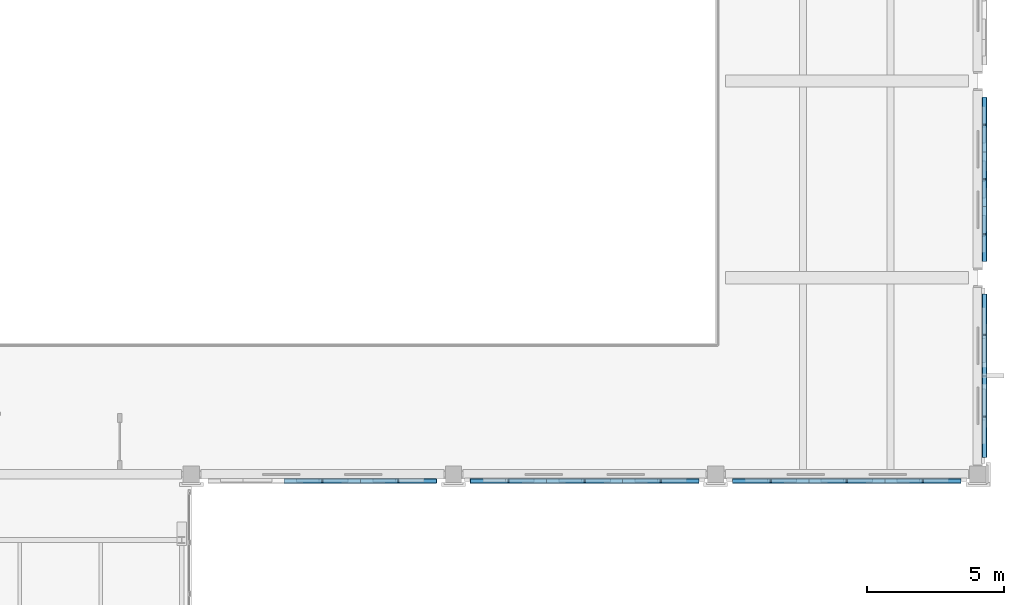
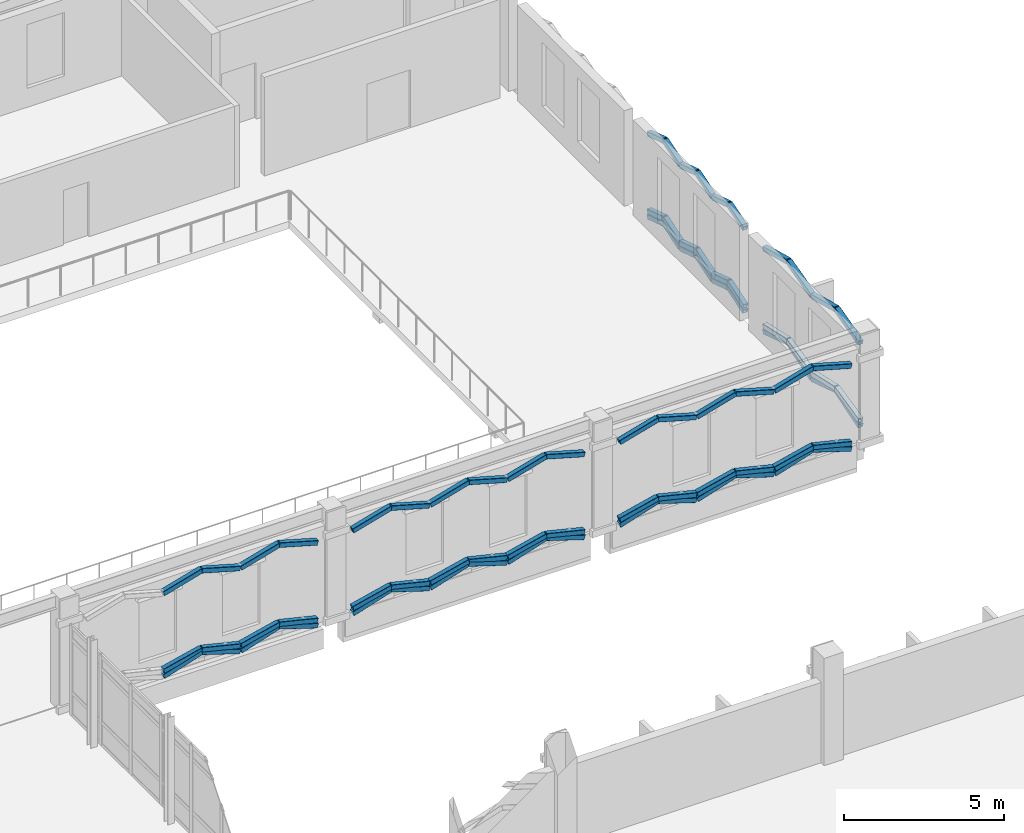
# One storey, part 148 of 180: 78 plates.
"""IFC4 building model written with IfcOpenShell, lengths in metres."""

from ifc_helpers import new_model, si_unit, direction, frame, origin, origin_2d, place, context, subcontext, project, spatial, hollow_rectangle, extrude, material, material_profile, profile_set, type_object, element, save


model = new_model("IFC4")

# Units and contexts
model_context = context("Model", 3, precision=1e-05, world=origin(), true_north=direction((0.0, 1.0)))
body_context = subcontext(model_context, "Body", "Model", "MODEL_VIEW")
ifc_project = project(units=[si_unit("LENGTHUNIT", "METRE"), si_unit("AREAUNIT", "SQUARE_METRE"), si_unit("VOLUMEUNIT", "CUBIC_METRE"), si_unit("PLANEANGLEUNIT", "RADIAN"), si_unit("MASSUNIT", "GRAM", prefix="KILO")], contexts=[model_context])

# Site, building, storey
site_placement = place(None, origin())
site = spatial("IfcSite", under=ifc_project, at=site_placement, CompositionType="ELEMENT")
building_placement = place(site_placement, origin())
building = spatial("IfcBuilding", under=site, at=building_placement, Name="Asteropetra Specialist Clinic", CompositionType="ELEMENT")
storey_placement = place(building_placement, frame((0.0, 0.0, 4.419921875)))
storey = spatial("IfcBuildingStorey", under=building, at=storey_placement, Name="L01", CompositionType="ELEMENT", Elevation=4.419921875)

# Plates
ifc_material = material(Name="Chevron emerald aluminium 6063-T6", Category="aluminium")
ifc_material_profile = material_profile(ifc_material, hollow_rectangle(XDim=0.179931640625, YDim=0.179931640625, WallThickness=0.010009765625, InnerFilletRadius=0.008056640625, OuterFilletRadius=0.01611328125, at=origin_2d()), Name="SHS 180x180x10.0")
ifc_profile_set = profile_set([ifc_material_profile], Name="Chevron emerald aluminium 6063-T6")
plate_type = type_object("IfcPlateType", Name="CHV-RIB-180", PredefinedType="SHEET", material=ifc_profile_set)
for number, where, z_axis, x_axis, name in (
    (1, (128.226806640625, 76.55810546875, 0.0400390625), (0.952424147199, 0.0, 0.304775727104), (0.0, 1.0, 0.0), "Chevron Facade Screen Fin CVR-0139"),
    (2, (129.60009765625, 76.55810546875, 0.4794921875), (0.952424147199, 0.0, -0.304775727104), (0.0, 1.0, 0.0), "Chevron Facade Screen Fin CVR-0140"),
):
    element("IfcPlate", number, at=place(storey_placement, frame(where, z_axis=z_axis, x_axis=x_axis)), inside=storey, type_object=plate_type, Name=name, PredefinedType="SHEET", context=body_context, shape_type="SweptSolid", body=[
        extrude(hollow_rectangle(XDim=0.179931640625, YDim=0.179931640625, WallThickness=0.010009765625, InnerFilletRadius=0.008056640625, OuterFilletRadius=0.01611328125, at=origin_2d()), origin(), (0.0, 0.0, 1.0), 1.44189453125),
    ])
for number, where, z_axis, x_axis, name in (
    (3, (128.226806640625, 76.55810546875, 0.239990234375), (0.972308795496, 0.0, 0.233699820713), (0.0, 1.0, 0.0), "Chevron Facade Screen Fin CVR-0141"),
    (4, (129.60009765625, 76.55810546875, 0.570068359375), (0.972308795496, 0.0, -0.233699820713), (0.0, 1.0, 0.0), "Chevron Facade Screen Fin CVR-0142"),
):
    element("IfcPlate", number, at=place(storey_placement, frame(where, z_axis=z_axis, x_axis=x_axis)), inside=storey, type_object=plate_type, Name=name, PredefinedType="SHEET", context=body_context, shape_type="SweptSolid", body=[
        extrude(hollow_rectangle(XDim=0.179931640625, YDim=0.179931640625, WallThickness=0.010009765625, InnerFilletRadius=0.008056640625, OuterFilletRadius=0.01611328125, at=origin_2d()), origin(), (0.0, 0.0, 1.0), 1.412353515625),
    ])
for number, where, z_axis, x_axis, name in (
    (5, (128.226806640625, 76.55810546875, 3.190185546875), (0.96198081159, 0.0, 0.273117041086), (0.0, 1.0, 0.0), "Chevron Facade Screen Fin CVR-0143"),
    (6, (129.60009765625, 76.55810546875, 3.580078125), (0.96198081159, 0.0, -0.273117041086), (0.0, 1.0, 0.0), "Chevron Facade Screen Fin CVR-0144"),
):
    element("IfcPlate", number, at=place(storey_placement, frame(where, z_axis=z_axis, x_axis=x_axis)), inside=storey, type_object=plate_type, Name=name, PredefinedType="SHEET", context=body_context, shape_type="SweptSolid", body=[
        extrude(hollow_rectangle(XDim=0.179931640625, YDim=0.179931640625, WallThickness=0.010009765625, InnerFilletRadius=0.008056640625, OuterFilletRadius=0.01611328125, at=origin_2d()), origin(), (0.0, 0.0, 1.0), 1.427490234375),
    ])
plate_1_placement = place(storey_placement, frame((131.01318359375, 76.55810546875, 0.0400390625), z_axis=(0.952439871219, 0.0, 0.304726585175), x_axis=(0.0, 1.0, 0.0)))
element("IfcPlate", 7, at=plate_1_placement, inside=storey, type_object=plate_type, Name="Chevron Facade Screen Fin CVR-0145", PredefinedType="SHEET", context=body_context, shape_type="SweptSolid", body=[
    extrude(hollow_rectangle(XDim=0.179931640625, YDim=0.179931640625, WallThickness=0.010009765625, InnerFilletRadius=0.008056640625, OuterFilletRadius=0.01611328125, at=origin_2d()), origin(), (0.0, 0.0, 1.0), 1.442138671875),
])
plate_2_placement = place(storey_placement, frame((132.38671875, 76.55810546875, 0.4794921875), z_axis=(0.952424147199, 0.0, -0.304775727104), x_axis=(0.0, 1.0, 0.0)))
element("IfcPlate", 8, at=plate_2_placement, inside=storey, type_object=plate_type, Name="Chevron Facade Screen Fin CVR-0146", PredefinedType="SHEET", context=body_context, shape_type="SweptSolid", body=[
    extrude(hollow_rectangle(XDim=0.179931640625, YDim=0.179931640625, WallThickness=0.010009765625, InnerFilletRadius=0.008056640625, OuterFilletRadius=0.01611328125, at=origin_2d()), origin(), (0.0, 0.0, 1.0), 1.44189453125),
])
plate_3_placement = place(storey_placement, frame((131.01318359375, 76.55810546875, 0.239990234375), z_axis=(0.972318233691, 0.0, 0.233660549582), x_axis=(0.0, 1.0, 0.0)))
element("IfcPlate", 9, at=plate_3_placement, inside=storey, type_object=plate_type, Name="Chevron Facade Screen Fin CVR-0147", PredefinedType="SHEET", context=body_context, shape_type="SweptSolid", body=[
    extrude(hollow_rectangle(XDim=0.179931640625, YDim=0.179931640625, WallThickness=0.010009765625, InnerFilletRadius=0.008056640625, OuterFilletRadius=0.01611328125, at=origin_2d()), origin(), (0.0, 0.0, 1.0), 1.41259765625),
])
plate_4_placement = place(storey_placement, frame((132.38671875, 76.55810546875, 0.570068359375), z_axis=(0.972308795496, 0.0, -0.233699820713), x_axis=(0.0, 1.0, 0.0)))
element("IfcPlate", 10, at=plate_4_placement, inside=storey, type_object=plate_type, Name="Chevron Facade Screen Fin CVR-0148", PredefinedType="SHEET", context=body_context, shape_type="SweptSolid", body=[
    extrude(hollow_rectangle(XDim=0.179931640625, YDim=0.179931640625, WallThickness=0.010009765625, InnerFilletRadius=0.008056640625, OuterFilletRadius=0.01611328125, at=origin_2d()), origin(), (0.0, 0.0, 1.0), 1.412353515625),
])
plate_5_placement = place(storey_placement, frame((131.01318359375, 76.55810546875, 3.190185546875), z_axis=(0.961993565235, 0.0, 0.273072115834), x_axis=(0.0, 1.0, 0.0)))
element("IfcPlate", 11, at=plate_5_placement, inside=storey, type_object=plate_type, Name="Chevron Facade Screen Fin CVR-0149", PredefinedType="SHEET", context=body_context, shape_type="SweptSolid", body=[
    extrude(hollow_rectangle(XDim=0.179931640625, YDim=0.179931640625, WallThickness=0.010009765625, InnerFilletRadius=0.008056640625, OuterFilletRadius=0.01611328125, at=origin_2d()), origin(), (0.0, 0.0, 1.0), 1.427734375),
])
plate_6_placement = place(storey_placement, frame((132.38671875, 76.55810546875, 3.580078125), z_axis=(0.96198081159, 0.0, -0.273117041086), x_axis=(0.0, 1.0, 0.0)))
element("IfcPlate", 12, at=plate_6_placement, inside=storey, type_object=plate_type, Name="Chevron Facade Screen Fin CVR-0150", PredefinedType="SHEET", context=body_context, shape_type="SweptSolid", body=[
    extrude(hollow_rectangle(XDim=0.179931640625, YDim=0.179931640625, WallThickness=0.010009765625, InnerFilletRadius=0.008056640625, OuterFilletRadius=0.01611328125, at=origin_2d()), origin(), (0.0, 0.0, 1.0), 1.427490234375),
])
for number, where, z_axis, x_axis, name in (
    (13, (135.0400390625, 76.55810546875, 0.0400390625), (0.952424147199, 0.0, 0.304775727104), (0.0, 1.0, 0.0), "Chevron Facade Screen Fin CVR-0169"),
    (14, (136.413330078125, 76.55810546875, 0.4794921875), (0.952424147199, 0.0, -0.304775727104), (0.0, 1.0, 0.0), "Chevron Facade Screen Fin CVR-0170"),
):
    element("IfcPlate", number, at=place(storey_placement, frame(where, z_axis=z_axis, x_axis=x_axis)), inside=storey, type_object=plate_type, Name=name, PredefinedType="SHEET", context=body_context, shape_type="SweptSolid", body=[
        extrude(hollow_rectangle(XDim=0.179931640625, YDim=0.179931640625, WallThickness=0.010009765625, InnerFilletRadius=0.008056640625, OuterFilletRadius=0.01611328125, at=origin_2d()), origin(), (0.0, 0.0, 1.0), 1.44189453125),
    ])
for number, where, z_axis, x_axis, name in (
    (15, (135.0400390625, 76.55810546875, 0.239990234375), (0.972308795496, 0.0, 0.233699820713), (0.0, 1.0, 0.0), "Chevron Facade Screen Fin CVR-0171"),
    (16, (136.413330078125, 76.55810546875, 0.570068359375), (0.972308795496, 0.0, -0.233699820713), (0.0, 1.0, 0.0), "Chevron Facade Screen Fin CVR-0172"),
):
    element("IfcPlate", number, at=place(storey_placement, frame(where, z_axis=z_axis, x_axis=x_axis)), inside=storey, type_object=plate_type, Name=name, PredefinedType="SHEET", context=body_context, shape_type="SweptSolid", body=[
        extrude(hollow_rectangle(XDim=0.179931640625, YDim=0.179931640625, WallThickness=0.010009765625, InnerFilletRadius=0.008056640625, OuterFilletRadius=0.01611328125, at=origin_2d()), origin(), (0.0, 0.0, 1.0), 1.412353515625),
    ])
for number, where, z_axis, x_axis, name in (
    (17, (135.0400390625, 76.55810546875, 3.190185546875), (0.96198081159, 0.0, 0.273117041086), (0.0, 1.0, 0.0), "Chevron Facade Screen Fin CVR-0173"),
    (18, (136.413330078125, 76.55810546875, 3.580078125), (0.96198081159, 0.0, -0.273117041086), (0.0, 1.0, 0.0), "Chevron Facade Screen Fin CVR-0174"),
):
    element("IfcPlate", number, at=place(storey_placement, frame(where, z_axis=z_axis, x_axis=x_axis)), inside=storey, type_object=plate_type, Name=name, PredefinedType="SHEET", context=body_context, shape_type="SweptSolid", body=[
        extrude(hollow_rectangle(XDim=0.179931640625, YDim=0.179931640625, WallThickness=0.010009765625, InnerFilletRadius=0.008056640625, OuterFilletRadius=0.01611328125, at=origin_2d()), origin(), (0.0, 0.0, 1.0), 1.427490234375),
    ])
for number, where, z_axis, x_axis, name in (
    (19, (137.82666015625, 76.55810546875, 0.0400390625), (0.952424147199, 0.0, 0.304775727104), (0.0, 1.0, 0.0), "Chevron Facade Screen Fin CVR-0175"),
    (20, (139.199951171875, 76.55810546875, 0.4794921875), (0.952424147199, 0.0, -0.304775727104), (0.0, 1.0, 0.0), "Chevron Facade Screen Fin CVR-0176"),
):
    element("IfcPlate", number, at=place(storey_placement, frame(where, z_axis=z_axis, x_axis=x_axis)), inside=storey, type_object=plate_type, Name=name, PredefinedType="SHEET", context=body_context, shape_type="SweptSolid", body=[
        extrude(hollow_rectangle(XDim=0.179931640625, YDim=0.179931640625, WallThickness=0.010009765625, InnerFilletRadius=0.008056640625, OuterFilletRadius=0.01611328125, at=origin_2d()), origin(), (0.0, 0.0, 1.0), 1.44189453125),
    ])
for number, where, z_axis, x_axis, name in (
    (21, (137.82666015625, 76.55810546875, 0.239990234375), (0.972308795496, 0.0, 0.233699820713), (0.0, 1.0, 0.0), "Chevron Facade Screen Fin CVR-0177"),
    (22, (139.199951171875, 76.55810546875, 0.570068359375), (0.972308795496, 0.0, -0.233699820713), (0.0, 1.0, 0.0), "Chevron Facade Screen Fin CVR-0178"),
):
    element("IfcPlate", number, at=place(storey_placement, frame(where, z_axis=z_axis, x_axis=x_axis)), inside=storey, type_object=plate_type, Name=name, PredefinedType="SHEET", context=body_context, shape_type="SweptSolid", body=[
        extrude(hollow_rectangle(XDim=0.179931640625, YDim=0.179931640625, WallThickness=0.010009765625, InnerFilletRadius=0.008056640625, OuterFilletRadius=0.01611328125, at=origin_2d()), origin(), (0.0, 0.0, 1.0), 1.412353515625),
    ])
for number, where, z_axis, x_axis, name in (
    (23, (137.82666015625, 76.55810546875, 3.190185546875), (0.96198081159, 0.0, 0.273117041086), (0.0, 1.0, 0.0), "Chevron Facade Screen Fin CVR-0179"),
    (24, (139.199951171875, 76.55810546875, 3.580078125), (0.96198081159, 0.0, -0.273117041086), (0.0, 1.0, 0.0), "Chevron Facade Screen Fin CVR-0180"),
):
    element("IfcPlate", number, at=place(storey_placement, frame(where, z_axis=z_axis, x_axis=x_axis)), inside=storey, type_object=plate_type, Name=name, PredefinedType="SHEET", context=body_context, shape_type="SweptSolid", body=[
        extrude(hollow_rectangle(XDim=0.179931640625, YDim=0.179931640625, WallThickness=0.010009765625, InnerFilletRadius=0.008056640625, OuterFilletRadius=0.01611328125, at=origin_2d()), origin(), (0.0, 0.0, 1.0), 1.427490234375),
    ])
plate_7_placement = place(storey_placement, frame((140.61328125, 76.55810546875, 0.0400390625), z_axis=(0.952439871219, 0.0, 0.304726585175), x_axis=(0.0, 1.0, 0.0)))
element("IfcPlate", 25, at=plate_7_placement, inside=storey, type_object=plate_type, Name="Chevron Facade Screen Fin CVR-0181", PredefinedType="SHEET", context=body_context, shape_type="SweptSolid", body=[
    extrude(hollow_rectangle(XDim=0.179931640625, YDim=0.179931640625, WallThickness=0.010009765625, InnerFilletRadius=0.008056640625, OuterFilletRadius=0.01611328125, at=origin_2d()), origin(), (0.0, 0.0, 1.0), 1.442138671875),
])
plate_8_placement = place(storey_placement, frame((141.98681640625, 76.55810546875, 0.4794921875), z_axis=(0.952424147199, 0.0, -0.304775727104), x_axis=(0.0, 1.0, 0.0)))
element("IfcPlate", 26, at=plate_8_placement, inside=storey, type_object=plate_type, Name="Chevron Facade Screen Fin CVR-0182", PredefinedType="SHEET", context=body_context, shape_type="SweptSolid", body=[
    extrude(hollow_rectangle(XDim=0.179931640625, YDim=0.179931640625, WallThickness=0.010009765625, InnerFilletRadius=0.008056640625, OuterFilletRadius=0.01611328125, at=origin_2d()), origin(), (0.0, 0.0, 1.0), 1.44189453125),
])
plate_9_placement = place(storey_placement, frame((140.61328125, 76.55810546875, 0.239990234375), z_axis=(0.972318233691, 0.0, 0.233660549582), x_axis=(0.0, 1.0, 0.0)))
element("IfcPlate", 27, at=plate_9_placement, inside=storey, type_object=plate_type, Name="Chevron Facade Screen Fin CVR-0183", PredefinedType="SHEET", context=body_context, shape_type="SweptSolid", body=[
    extrude(hollow_rectangle(XDim=0.179931640625, YDim=0.179931640625, WallThickness=0.010009765625, InnerFilletRadius=0.008056640625, OuterFilletRadius=0.01611328125, at=origin_2d()), origin(), (0.0, 0.0, 1.0), 1.41259765625),
])
plate_10_placement = place(storey_placement, frame((141.98681640625, 76.55810546875, 0.570068359375), z_axis=(0.972308795496, 0.0, -0.233699820713), x_axis=(0.0, 1.0, 0.0)))
element("IfcPlate", 28, at=plate_10_placement, inside=storey, type_object=plate_type, Name="Chevron Facade Screen Fin CVR-0184", PredefinedType="SHEET", context=body_context, shape_type="SweptSolid", body=[
    extrude(hollow_rectangle(XDim=0.179931640625, YDim=0.179931640625, WallThickness=0.010009765625, InnerFilletRadius=0.008056640625, OuterFilletRadius=0.01611328125, at=origin_2d()), origin(), (0.0, 0.0, 1.0), 1.412353515625),
])
plate_11_placement = place(storey_placement, frame((140.61328125, 76.55810546875, 3.190185546875), z_axis=(0.961993565235, 0.0, 0.273072115834), x_axis=(0.0, 1.0, 0.0)))
element("IfcPlate", 29, at=plate_11_placement, inside=storey, type_object=plate_type, Name="Chevron Facade Screen Fin CVR-0185", PredefinedType="SHEET", context=body_context, shape_type="SweptSolid", body=[
    extrude(hollow_rectangle(XDim=0.179931640625, YDim=0.179931640625, WallThickness=0.010009765625, InnerFilletRadius=0.008056640625, OuterFilletRadius=0.01611328125, at=origin_2d()), origin(), (0.0, 0.0, 1.0), 1.427734375),
])
plate_12_placement = place(storey_placement, frame((141.98681640625, 76.55810546875, 3.580078125), z_axis=(0.96198081159, 0.0, -0.273117041086), x_axis=(0.0, 1.0, 0.0)))
element("IfcPlate", 30, at=plate_12_placement, inside=storey, type_object=plate_type, Name="Chevron Facade Screen Fin CVR-0186", PredefinedType="SHEET", context=body_context, shape_type="SweptSolid", body=[
    extrude(hollow_rectangle(XDim=0.179931640625, YDim=0.179931640625, WallThickness=0.010009765625, InnerFilletRadius=0.008056640625, OuterFilletRadius=0.01611328125, at=origin_2d()), origin(), (0.0, 0.0, 1.0), 1.427490234375),
])
plate_13_placement = place(storey_placement, frame((144.639892578125, 76.55810546875, 0.0400390625), z_axis=(0.952424147199, 0.0, 0.304775727104), x_axis=(0.0, 1.0, 0.0)))
element("IfcPlate", 31, at=plate_13_placement, inside=storey, type_object=plate_type, Name="Chevron Facade Screen Fin CVR-0205", PredefinedType="SHEET", context=body_context, shape_type="SweptSolid", body=[
    extrude(hollow_rectangle(XDim=0.179931640625, YDim=0.179931640625, WallThickness=0.010009765625, InnerFilletRadius=0.008056640625, OuterFilletRadius=0.01611328125, at=origin_2d()), origin(), (0.0, 0.0, 1.0), 1.44189453125),
])
plate_14_placement = place(storey_placement, frame((146.01318359375, 76.55810546875, 0.4794921875), z_axis=(0.952439871219, 0.0, -0.304726585175), x_axis=(0.0, 1.0, 0.0)))
element("IfcPlate", 32, at=plate_14_placement, inside=storey, type_object=plate_type, Name="Chevron Facade Screen Fin CVR-0206", PredefinedType="SHEET", context=body_context, shape_type="SweptSolid", body=[
    extrude(hollow_rectangle(XDim=0.179931640625, YDim=0.179931640625, WallThickness=0.010009765625, InnerFilletRadius=0.008056640625, OuterFilletRadius=0.01611328125, at=origin_2d()), origin(), (0.0, 0.0, 1.0), 1.442138671875),
])
plate_15_placement = place(storey_placement, frame((144.639892578125, 76.55810546875, 0.239990234375), z_axis=(0.972308795496, 0.0, 0.233699820713), x_axis=(0.0, 1.0, 0.0)))
element("IfcPlate", 33, at=plate_15_placement, inside=storey, type_object=plate_type, Name="Chevron Facade Screen Fin CVR-0207", PredefinedType="SHEET", context=body_context, shape_type="SweptSolid", body=[
    extrude(hollow_rectangle(XDim=0.179931640625, YDim=0.179931640625, WallThickness=0.010009765625, InnerFilletRadius=0.008056640625, OuterFilletRadius=0.01611328125, at=origin_2d()), origin(), (0.0, 0.0, 1.0), 1.412353515625),
])
plate_16_placement = place(storey_placement, frame((146.01318359375, 76.55810546875, 0.570068359375), z_axis=(0.972318233691, 0.0, -0.233660549582), x_axis=(0.0, 1.0, 0.0)))
element("IfcPlate", 34, at=plate_16_placement, inside=storey, type_object=plate_type, Name="Chevron Facade Screen Fin CVR-0208", PredefinedType="SHEET", context=body_context, shape_type="SweptSolid", body=[
    extrude(hollow_rectangle(XDim=0.179931640625, YDim=0.179931640625, WallThickness=0.010009765625, InnerFilletRadius=0.008056640625, OuterFilletRadius=0.01611328125, at=origin_2d()), origin(), (0.0, 0.0, 1.0), 1.41259765625),
])
plate_17_placement = place(storey_placement, frame((144.639892578125, 76.55810546875, 3.190185546875), z_axis=(0.96198081159, 0.0, 0.273117041086), x_axis=(0.0, 1.0, 0.0)))
element("IfcPlate", 35, at=plate_17_placement, inside=storey, type_object=plate_type, Name="Chevron Facade Screen Fin CVR-0209", PredefinedType="SHEET", context=body_context, shape_type="SweptSolid", body=[
    extrude(hollow_rectangle(XDim=0.179931640625, YDim=0.179931640625, WallThickness=0.010009765625, InnerFilletRadius=0.008056640625, OuterFilletRadius=0.01611328125, at=origin_2d()), origin(), (0.0, 0.0, 1.0), 1.427490234375),
])
plate_18_placement = place(storey_placement, frame((146.01318359375, 76.55810546875, 3.580078125), z_axis=(0.961993565235, 0.0, -0.273072115834), x_axis=(0.0, 1.0, 0.0)))
element("IfcPlate", 36, at=plate_18_placement, inside=storey, type_object=plate_type, Name="Chevron Facade Screen Fin CVR-0210", PredefinedType="SHEET", context=body_context, shape_type="SweptSolid", body=[
    extrude(hollow_rectangle(XDim=0.179931640625, YDim=0.179931640625, WallThickness=0.010009765625, InnerFilletRadius=0.008056640625, OuterFilletRadius=0.01611328125, at=origin_2d()), origin(), (0.0, 0.0, 1.0), 1.427734375),
])
for number, where, z_axis, x_axis, name in (
    (37, (147.4267578125, 76.55810546875, 0.0400390625), (0.952424147199, 0.0, 0.304775727104), (0.0, 1.0, 0.0), "Chevron Facade Screen Fin CVR-0211"),
    (38, (148.800048828125, 76.55810546875, 0.4794921875), (0.952424147199, 0.0, -0.304775727104), (0.0, 1.0, 0.0), "Chevron Facade Screen Fin CVR-0212"),
):
    element("IfcPlate", number, at=place(storey_placement, frame(where, z_axis=z_axis, x_axis=x_axis)), inside=storey, type_object=plate_type, Name=name, PredefinedType="SHEET", context=body_context, shape_type="SweptSolid", body=[
        extrude(hollow_rectangle(XDim=0.179931640625, YDim=0.179931640625, WallThickness=0.010009765625, InnerFilletRadius=0.008056640625, OuterFilletRadius=0.01611328125, at=origin_2d()), origin(), (0.0, 0.0, 1.0), 1.44189453125),
    ])
for number, where, z_axis, x_axis, name in (
    (39, (147.4267578125, 76.55810546875, 0.239990234375), (0.972308795496, 0.0, 0.233699820713), (0.0, 1.0, 0.0), "Chevron Facade Screen Fin CVR-0213"),
    (40, (148.800048828125, 76.55810546875, 0.570068359375), (0.972308795496, 0.0, -0.233699820713), (0.0, 1.0, 0.0), "Chevron Facade Screen Fin CVR-0214"),
):
    element("IfcPlate", number, at=place(storey_placement, frame(where, z_axis=z_axis, x_axis=x_axis)), inside=storey, type_object=plate_type, Name=name, PredefinedType="SHEET", context=body_context, shape_type="SweptSolid", body=[
        extrude(hollow_rectangle(XDim=0.179931640625, YDim=0.179931640625, WallThickness=0.010009765625, InnerFilletRadius=0.008056640625, OuterFilletRadius=0.01611328125, at=origin_2d()), origin(), (0.0, 0.0, 1.0), 1.412353515625),
    ])
for number, where, z_axis, x_axis, name in (
    (41, (147.4267578125, 76.55810546875, 3.190185546875), (0.96198081159, 0.0, 0.273117041086), (0.0, 1.0, 0.0), "Chevron Facade Screen Fin CVR-0215"),
    (42, (148.800048828125, 76.55810546875, 3.580078125), (0.96198081159, 0.0, -0.273117041086), (0.0, 1.0, 0.0), "Chevron Facade Screen Fin CVR-0216"),
):
    element("IfcPlate", number, at=place(storey_placement, frame(where, z_axis=z_axis, x_axis=x_axis)), inside=storey, type_object=plate_type, Name=name, PredefinedType="SHEET", context=body_context, shape_type="SweptSolid", body=[
        extrude(hollow_rectangle(XDim=0.179931640625, YDim=0.179931640625, WallThickness=0.010009765625, InnerFilletRadius=0.008056640625, OuterFilletRadius=0.01611328125, at=origin_2d()), origin(), (0.0, 0.0, 1.0), 1.427490234375),
    ])
for number, where, z_axis, x_axis, name in (
    (43, (150.21337890625, 76.55810546875, 0.0400390625), (0.952424147199, 0.0, 0.304775727104), (0.0, 1.0, 0.0), "Chevron Facade Screen Fin CVR-0217"),
    (44, (151.586669921875, 76.55810546875, 0.4794921875), (0.952424147199, 0.0, -0.304775727104), (0.0, 1.0, 0.0), "Chevron Facade Screen Fin CVR-0218"),
):
    element("IfcPlate", number, at=place(storey_placement, frame(where, z_axis=z_axis, x_axis=x_axis)), inside=storey, type_object=plate_type, Name=name, PredefinedType="SHEET", context=body_context, shape_type="SweptSolid", body=[
        extrude(hollow_rectangle(XDim=0.179931640625, YDim=0.179931640625, WallThickness=0.010009765625, InnerFilletRadius=0.008056640625, OuterFilletRadius=0.01611328125, at=origin_2d()), origin(), (0.0, 0.0, 1.0), 1.44189453125),
    ])
for number, where, z_axis, x_axis, name in (
    (45, (150.21337890625, 76.55810546875, 0.239990234375), (0.972308795496, 0.0, 0.233699820713), (0.0, 1.0, 0.0), "Chevron Facade Screen Fin CVR-0219"),
    (46, (151.586669921875, 76.55810546875, 0.570068359375), (0.972308795496, 0.0, -0.233699820713), (0.0, 1.0, 0.0), "Chevron Facade Screen Fin CVR-0220"),
):
    element("IfcPlate", number, at=place(storey_placement, frame(where, z_axis=z_axis, x_axis=x_axis)), inside=storey, type_object=plate_type, Name=name, PredefinedType="SHEET", context=body_context, shape_type="SweptSolid", body=[
        extrude(hollow_rectangle(XDim=0.179931640625, YDim=0.179931640625, WallThickness=0.010009765625, InnerFilletRadius=0.008056640625, OuterFilletRadius=0.01611328125, at=origin_2d()), origin(), (0.0, 0.0, 1.0), 1.412353515625),
    ])
for number, where, z_axis, x_axis, name in (
    (47, (150.21337890625, 76.55810546875, 3.190185546875), (0.96198081159, 0.0, 0.273117041086), (0.0, 1.0, 0.0), "Chevron Facade Screen Fin CVR-0221"),
    (48, (151.586669921875, 76.55810546875, 3.580078125), (0.96198081159, 0.0, -0.273117041086), (0.0, 1.0, 0.0), "Chevron Facade Screen Fin CVR-0222"),
):
    element("IfcPlate", number, at=place(storey_placement, frame(where, z_axis=z_axis, x_axis=x_axis)), inside=storey, type_object=plate_type, Name=name, PredefinedType="SHEET", context=body_context, shape_type="SweptSolid", body=[
        extrude(hollow_rectangle(XDim=0.179931640625, YDim=0.179931640625, WallThickness=0.010009765625, InnerFilletRadius=0.008056640625, OuterFilletRadius=0.01611328125, at=origin_2d()), origin(), (0.0, 0.0, 1.0), 1.427490234375),
    ])
plate_19_placement = place(storey_placement, frame((153.842041015625, 77.43994140625, 0.0400390625), z_axis=(0.0, 0.952535744188, 0.304426766307), x_axis=(-1.0, 0.0, 0.0)))
element("IfcPlate", 49, at=plate_19_placement, inside=storey, type_object=plate_type, Name="Chevron Facade Screen Fin CVR-0247", PredefinedType="SHEET", context=body_context, shape_type="SweptSolid", body=[
    extrude(hollow_rectangle(XDim=0.179931640625, YDim=0.179931640625, WallThickness=0.010009765625, InnerFilletRadius=0.008056640625, OuterFilletRadius=0.01611328125, at=origin_2d()), origin(), (0.0, 0.0, 1.0), 1.548583984375),
])
plate_20_placement = place(storey_placement, frame((153.842041015625, 78.9150390625, 0.511474609375), z_axis=(0.0, 0.952521130358, -0.304472488449), x_axis=(-1.0, 0.0, 0.0)))
element("IfcPlate", 50, at=plate_20_placement, inside=storey, type_object=plate_type, Name="Chevron Facade Screen Fin CVR-0248", PredefinedType="SHEET", context=body_context, shape_type="SweptSolid", body=[
    extrude(hollow_rectangle(XDim=0.179931640625, YDim=0.179931640625, WallThickness=0.010009765625, InnerFilletRadius=0.008056640625, OuterFilletRadius=0.01611328125, at=origin_2d()), origin(), (0.0, 0.0, 1.0), 1.54833984375),
])
plate_21_placement = place(storey_placement, frame((153.842041015625, 77.43994140625, 0.239990234375), z_axis=(0.0, 0.975866775809, 0.218366746259), x_axis=(-1.0, 0.0, 0.0)))
element("IfcPlate", 51, at=plate_21_placement, inside=storey, type_object=plate_type, Name="Chevron Facade Screen Fin CVR-0249", PredefinedType="SHEET", context=body_context, shape_type="SweptSolid", body=[
    extrude(hollow_rectangle(XDim=0.179931640625, YDim=0.179931640625, WallThickness=0.010009765625, InnerFilletRadius=0.008056640625, OuterFilletRadius=0.01611328125, at=origin_2d()), origin(), (0.0, 0.0, 1.0), 1.511474609375),
])
plate_22_placement = place(storey_placement, frame((153.842041015625, 78.9150390625, 0.570068359375), z_axis=(0.0, 0.975859072355, -0.218401169645), x_axis=(-1.0, 0.0, 0.0)))
element("IfcPlate", 52, at=plate_22_placement, inside=storey, type_object=plate_type, Name="Chevron Facade Screen Fin CVR-0250", PredefinedType="SHEET", context=body_context, shape_type="SweptSolid", body=[
    extrude(hollow_rectangle(XDim=0.179931640625, YDim=0.179931640625, WallThickness=0.010009765625, InnerFilletRadius=0.008056640625, OuterFilletRadius=0.01611328125, at=origin_2d()), origin(), (0.0, 0.0, 1.0), 1.51123046875),
])
for number, where, z_axis, x_axis, name in (
    (53, (153.842041015625, 77.43994140625, 3.190185546875), (0.0, 0.966798299911, 0.255540695955), (-1.0, 0.0, 0.0), "Chevron Facade Screen Fin CVR-0251"),
    (54, (153.842041015625, 78.9150390625, 3.580078125), (0.0, 0.966787848472, -0.255580234069), (-1.0, 0.0, 0.0), "Chevron Facade Screen Fin CVR-0252"),
):
    element("IfcPlate", number, at=place(storey_placement, frame(where, z_axis=z_axis, x_axis=x_axis)), inside=storey, type_object=plate_type, Name=name, PredefinedType="SHEET", context=body_context, shape_type="SweptSolid", body=[
        extrude(hollow_rectangle(XDim=0.179931640625, YDim=0.179931640625, WallThickness=0.010009765625, InnerFilletRadius=0.008056640625, OuterFilletRadius=0.01611328125, at=origin_2d()), origin(), (0.0, 0.0, 1.0), 1.525634765625),
    ])
plate_23_placement = place(storey_placement, frame((153.842041015625, 80.429931640625, 0.0400390625), z_axis=(0.0, 0.952535744188, 0.304426766307), x_axis=(-1.0, 0.0, 0.0)))
element("IfcPlate", 55, at=plate_23_placement, inside=storey, type_object=plate_type, Name="Chevron Facade Screen Fin CVR-0253", PredefinedType="SHEET", context=body_context, shape_type="SweptSolid", body=[
    extrude(hollow_rectangle(XDim=0.179931640625, YDim=0.179931640625, WallThickness=0.010009765625, InnerFilletRadius=0.008056640625, OuterFilletRadius=0.01611328125, at=origin_2d()), origin(), (0.0, 0.0, 1.0), 1.548583984375),
])
plate_24_placement = place(storey_placement, frame((153.842041015625, 81.905029296875, 0.511474609375), z_axis=(0.0, 0.952521130358, -0.304472488449), x_axis=(-1.0, 0.0, 0.0)))
element("IfcPlate", 56, at=plate_24_placement, inside=storey, type_object=plate_type, Name="Chevron Facade Screen Fin CVR-0254", PredefinedType="SHEET", context=body_context, shape_type="SweptSolid", body=[
    extrude(hollow_rectangle(XDim=0.179931640625, YDim=0.179931640625, WallThickness=0.010009765625, InnerFilletRadius=0.008056640625, OuterFilletRadius=0.01611328125, at=origin_2d()), origin(), (0.0, 0.0, 1.0), 1.54833984375),
])
plate_25_placement = place(storey_placement, frame((153.842041015625, 80.429931640625, 0.239990234375), z_axis=(0.0, 0.975866775809, 0.218366746259), x_axis=(-1.0, 0.0, 0.0)))
element("IfcPlate", 57, at=plate_25_placement, inside=storey, type_object=plate_type, Name="Chevron Facade Screen Fin CVR-0255", PredefinedType="SHEET", context=body_context, shape_type="SweptSolid", body=[
    extrude(hollow_rectangle(XDim=0.179931640625, YDim=0.179931640625, WallThickness=0.010009765625, InnerFilletRadius=0.008056640625, OuterFilletRadius=0.01611328125, at=origin_2d()), origin(), (0.0, 0.0, 1.0), 1.511474609375),
])
plate_26_placement = place(storey_placement, frame((153.842041015625, 81.905029296875, 0.570068359375), z_axis=(0.0, 0.975859072355, -0.218401169645), x_axis=(-1.0, 0.0, 0.0)))
element("IfcPlate", 58, at=plate_26_placement, inside=storey, type_object=plate_type, Name="Chevron Facade Screen Fin CVR-0256", PredefinedType="SHEET", context=body_context, shape_type="SweptSolid", body=[
    extrude(hollow_rectangle(XDim=0.179931640625, YDim=0.179931640625, WallThickness=0.010009765625, InnerFilletRadius=0.008056640625, OuterFilletRadius=0.01611328125, at=origin_2d()), origin(), (0.0, 0.0, 1.0), 1.51123046875),
])
for number, where, z_axis, x_axis, name in (
    (59, (153.842041015625, 80.429931640625, 3.190185546875), (0.0, 0.966798299911, 0.255540695955), (-1.0, 0.0, 0.0), "Chevron Facade Screen Fin CVR-0257"),
    (60, (153.842041015625, 81.905029296875, 3.580078125), (0.0, 0.966787848472, -0.255580234069), (-1.0, 0.0, 0.0), "Chevron Facade Screen Fin CVR-0258"),
):
    element("IfcPlate", number, at=place(storey_placement, frame(where, z_axis=z_axis, x_axis=x_axis)), inside=storey, type_object=plate_type, Name=name, PredefinedType="SHEET", context=body_context, shape_type="SweptSolid", body=[
        extrude(hollow_rectangle(XDim=0.179931640625, YDim=0.179931640625, WallThickness=0.010009765625, InnerFilletRadius=0.008056640625, OuterFilletRadius=0.01611328125, at=origin_2d()), origin(), (0.0, 0.0, 1.0), 1.525634765625),
    ])
for number, where, z_axis, x_axis, name in (
    (61, (153.842041015625, 84.6201171875, 0.0400390625), (0.0, 0.951905113025, 0.306392976091), (-1.0, 0.0, 0.0), "Chevron Facade Screen Fin CVR-0277"),
    (62, (153.842041015625, 85.60009765625, 0.35546875), (0.0, 0.951905113025, -0.306392976091), (-1.0, 0.0, 0.0), "Chevron Facade Screen Fin CVR-0278"),
    (63, (153.842041015625, 84.6201171875, 0.239990234375), (0.0, 0.951905113025, 0.306392976091), (-1.0, 0.0, 0.0), "Chevron Facade Screen Fin CVR-0279"),
    (64, (153.842041015625, 85.60009765625, 0.555419921875), (0.0, 0.951905113025, -0.306392976091), (-1.0, 0.0, 0.0), "Chevron Facade Screen Fin CVR-0280"),
    (65, (153.842041015625, 84.6201171875, 3.190185546875), (0.0, 0.951974259169, 0.306178068906), (-1.0, 0.0, 0.0), "Chevron Facade Screen Fin CVR-0281"),
    (66, (153.842041015625, 85.60009765625, 3.50537109375), (0.0, 0.951974259169, -0.306178068906), (-1.0, 0.0, 0.0), "Chevron Facade Screen Fin CVR-0282"),
    (67, (153.842041015625, 86.6201171875, 0.0400390625), (0.0, 0.951905113025, 0.306392976091), (-1.0, 0.0, 0.0), "Chevron Facade Screen Fin CVR-0283"),
    (68, (153.842041015625, 87.60009765625, 0.35546875), (0.0, 0.951905113025, -0.306392976091), (-1.0, 0.0, 0.0), "Chevron Facade Screen Fin CVR-0284"),
    (69, (153.842041015625, 86.6201171875, 0.239990234375), (0.0, 0.951905113025, 0.306392976091), (-1.0, 0.0, 0.0), "Chevron Facade Screen Fin CVR-0285"),
    (70, (153.842041015625, 87.60009765625, 0.555419921875), (0.0, 0.951905113025, -0.306392976091), (-1.0, 0.0, 0.0), "Chevron Facade Screen Fin CVR-0286"),
    (71, (153.842041015625, 86.6201171875, 3.190185546875), (0.0, 0.951974259169, 0.306178068906), (-1.0, 0.0, 0.0), "Chevron Facade Screen Fin CVR-0287"),
    (72, (153.842041015625, 87.60009765625, 3.50537109375), (0.0, 0.951974259169, -0.306178068906), (-1.0, 0.0, 0.0), "Chevron Facade Screen Fin CVR-0288"),
    (73, (153.842041015625, 88.6201171875, 0.0400390625), (0.0, 0.951905113025, 0.306392976091), (-1.0, 0.0, 0.0), "Chevron Facade Screen Fin CVR-0289"),
    (74, (153.842041015625, 89.60009765625, 0.35546875), (0.0, 0.951905113025, -0.306392976091), (-1.0, 0.0, 0.0), "Chevron Facade Screen Fin CVR-0290"),
    (75, (153.842041015625, 88.6201171875, 0.239990234375), (0.0, 0.951905113025, 0.306392976091), (-1.0, 0.0, 0.0), "Chevron Facade Screen Fin CVR-0291"),
    (76, (153.842041015625, 89.60009765625, 0.555419921875), (0.0, 0.951905113025, -0.306392976091), (-1.0, 0.0, 0.0), "Chevron Facade Screen Fin CVR-0292"),
    (77, (153.842041015625, 88.6201171875, 3.190185546875), (0.0, 0.951974259169, 0.306178068906), (-1.0, 0.0, 0.0), "Chevron Facade Screen Fin CVR-0293"),
    (78, (153.842041015625, 89.60009765625, 3.50537109375), (0.0, 0.951974259169, -0.306178068906), (-1.0, 0.0, 0.0), "Chevron Facade Screen Fin CVR-0294"),
):
    element("IfcPlate", number, at=place(storey_placement, frame(where, z_axis=z_axis, x_axis=x_axis)), inside=storey, type_object=plate_type, Name=name, PredefinedType="SHEET", context=body_context, shape_type="SweptSolid", body=[
        extrude(hollow_rectangle(XDim=0.179931640625, YDim=0.179931640625, WallThickness=0.010009765625, InnerFilletRadius=0.008056640625, OuterFilletRadius=0.01611328125, at=origin_2d()), origin(), (0.0, 0.0, 1.0), 1.029541015625),
    ])

save(model, "model.ifc")
